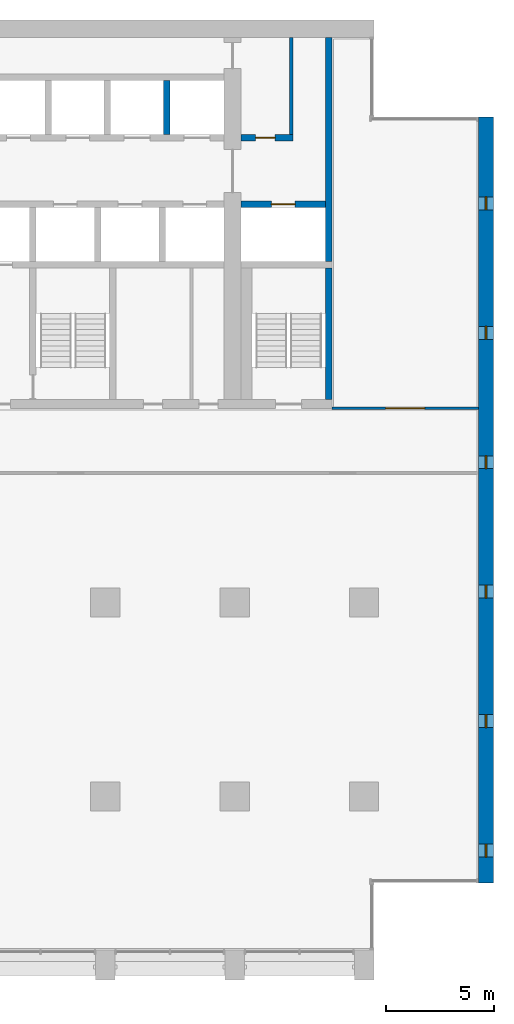
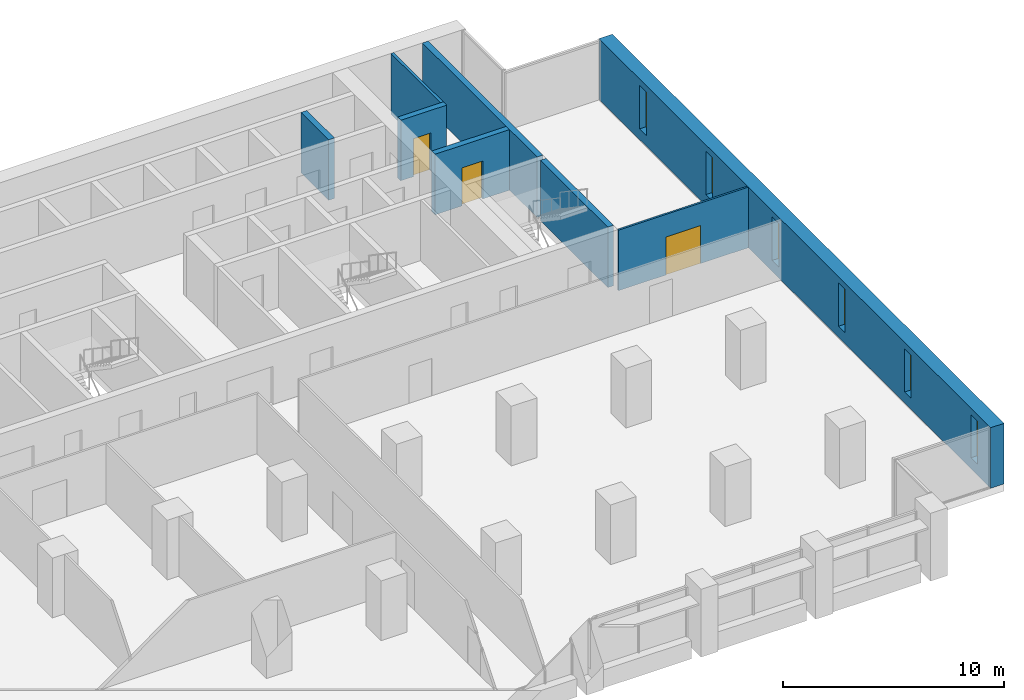
# One storey, part 11 of 15: 8 walls, 6 windows, 3 doors, 9 openings.
"""IFC4 building model written with IfcOpenShell, lengths in metres."""

from ifc_helpers import new_model, si_unit, direction, frame, frame_2d, origin, place, context, subcontext, project, spatial, rectangle, extrude, material, layer, layer_set, type_object, element, fill, save


model = new_model("IFC4")

# Units and contexts
model_context = context("Model", 3, precision=1e-05, world=origin(), true_north=direction((0.0, 1.0)))
body_context = subcontext(model_context, "Body", "Model", "MODEL_VIEW")
ifc_project = project(units=[si_unit("LENGTHUNIT", "METRE"), si_unit("AREAUNIT", "SQUARE_METRE"), si_unit("VOLUMEUNIT", "CUBIC_METRE"), si_unit("PLANEANGLEUNIT", "RADIAN"), si_unit("MASSUNIT", "GRAM", prefix="KILO")], contexts=[model_context])

# Site, building, storey
site_placement = place(None, origin())
site = spatial("IfcSite", under=ifc_project, at=site_placement, CompositionType="ELEMENT")
building_placement = place(site_placement, origin())
building = spatial("IfcBuilding", under=site, at=building_placement, Name="Calvaro Tower", CompositionType="ELEMENT")
storey_placement = place(building_placement, frame((0.0, 0.0, 121.25)))
storey = spatial("IfcBuildingStorey", under=building, at=storey_placement, Name="L30", CompositionType="ELEMENT", Elevation=121.25)

# Wall
ifc_material_1 = material(Name="Blockwork partition", Category="masonry")
ifc_layer_1 = layer(ifc_material_1, 0.14990234375)
ifc_layer_set_1 = layer_set([ifc_layer_1], Name="Blockwork partition")
wall_type_1 = type_object("IfcWallType", Name="Core partition 150 REI 120", PredefinedType="PARTITIONING", material=ifc_layer_set_1)
wall_1_placement = place(storey_placement, frame((62.625, 40.699951171875, 0.0), z_axis=(0.0, 0.0, 1.0), x_axis=(0.0, 1.0, 0.0)))
element("IfcWall", 1, at=wall_1_placement, inside=storey, type_object=wall_type_1, Name="Core partition", PredefinedType="PARTITIONING", context=body_context, shape_type="SweptSolid", body=[
    extrude(rectangle(XDim=4.5, YDim=0.14990234375, at=frame_2d((2.25, 0.0))), origin(), (0.0, 0.0, 1.0), 3.35009765625),
])

# Wall, opening, door
ifc_material_2 = material(Name="Blockwork partition", Category="masonry")
ifc_layer_2 = layer(ifc_material_2, 0.300048828125)
ifc_layer_set_2 = layer_set([ifc_layer_2], Name="Blockwork partition")
wall_type_2 = type_object("IfcWallType", Name="Core partition 300 REI 120", PredefinedType="PARTITIONING", material=ifc_layer_set_2)
wall_2_placement = place(storey_placement, frame((60.300048828125, 40.550048828125, 0.0), z_axis=(0.0, 0.0, 1.0), x_axis=(1.0, 0.0, 0.0)))
wall_2 = element("IfcWall", 2, at=wall_2_placement, inside=storey, type_object=wall_type_2, Name="Core partition", PredefinedType="PARTITIONING", context=body_context, shape_type="SweptSolid", body=[
    extrude(rectangle(XDim=2.39990234375, YDim=0.300048828125, at=frame_2d((1.199951171875, 0.0))), origin(), (0.0, 0.0, 1.0), 3.35009765625),
])
opening_1_placement = place(wall_2_placement, frame((0.675048828125, 0.0, 0.0)))
opening_1 = element("IfcOpeningElement", 3, at=opening_1_placement, cuts=wall_2, Name="Opening RD9E", PredefinedType="OPENING", context=body_context, shape_type="SweptSolid", body=[
    extrude(rectangle(XDim=0.89990234375, YDim=2.10009765625, at=frame_2d((0.449951171875, 1.050048828125))), frame((0.0, 0.159912109375, 0.0), z_axis=(0.0, -1.0, 0.0), x_axis=(1.0, 0.0, 0.0)), (0.0, 0.0, 1.0), 0.320068359375),
])
ifc_material_3 = material(Name="Steel door set", Category="steel")
door_type_1 = type_object("IfcDoorType", Name="Room door 900 FD60", OperationType="SINGLE_SWING_LEFT", PredefinedType="DOOR", material=ifc_material_3)
door_1_placement = place(opening_1_placement, origin())
door_1 = element("IfcDoor", 4, at=door_1_placement, inside=storey, type_object=door_type_1, Name="Room door", OperationType="SINGLE_SWING_LEFT", OverallHeight=2.10009765625, OverallWidth=0.89990234375, PredefinedType="DOOR", context=body_context, shape_type="SweptSolid", body=[
    extrude(rectangle(XDim=0.89990234375, YDim=2.10009765625, at=frame_2d((0.449951171875, 1.050048828125))), frame((0.0, 0.02490234375, 0.0), z_axis=(0.0, -1.0, 0.0), x_axis=(1.0, 0.0, 0.0)), (0.0, 0.0, 1.0), 0.050048828125),
])
fill(opening_1, door_1)

# Walls
ifc_material_4 = material(Name="Concrete C60/75", Category="concrete")
ifc_layer_3 = layer(ifc_material_4, 0.300048828125)
ifc_layer_set_3 = layer_set([ifc_layer_3], Name="Concrete C60/75")
wall_type_3 = type_object("IfcWallType", Name="Core wall C60/75 300", PredefinedType="SHEAR", material=ifc_layer_set_3)
wall_3_placement = place(storey_placement, frame((64.35009765625, 34.800048828125, 0.0), z_axis=(0.0, 0.0, 1.0), x_axis=(0.0, 1.0, 0.0)))
element("IfcWall", 5, at=wall_3_placement, inside=storey, type_object=wall_type_3, Name="Core wall, boundary", PredefinedType="SHEAR", context=body_context, shape_type="SweptSolid", body=[
    extrude(rectangle(XDim=10.39990234375, YDim=0.300048828125, at=frame_2d((5.199951171875, 0.0))), origin(), (0.0, 0.0, 1.0), 3.35009765625),
])
wall_4_placement = place(storey_placement, frame((64.35009765625, 28.39990234375, 0.0), z_axis=(0.0, 0.0, 1.0), x_axis=(0.0, 1.0, 0.0)))
element("IfcWall", 6, at=wall_4_placement, inside=storey, type_object=wall_type_3, Name="Core wall, stair enclosure", PredefinedType="SHEAR", context=body_context, shape_type="SweptSolid", body=[
    extrude(rectangle(XDim=6.10009765625, YDim=0.300048828125, at=frame_2d((3.050048828125, 0.0))), origin(), (0.0, 0.0, 1.0), 3.35009765625),
])

# Wall, opening, door
wall_5_placement = place(storey_placement, frame((60.300048828125, 37.449951171875, 0.0), z_axis=(0.0, 0.0, 1.0), x_axis=(1.0, 0.0, 0.0)))
wall_5 = element("IfcWall", 7, at=wall_5_placement, inside=storey, type_object=wall_type_3, Name="Core wall, lift shaft", PredefinedType="SHEAR", context=body_context, shape_type="SweptSolid", body=[
    extrude(rectangle(XDim=3.89990234375, YDim=0.300048828125, at=frame_2d((1.949951171875, 0.0))), origin(), (0.0, 0.0, 1.0), 3.35009765625),
])
opening_2_placement = place(wall_5_placement, frame((1.39990234375, 0.0, 0.0)))
opening_2 = element("IfcOpeningElement", 8, at=opening_2_placement, cuts=wall_5, Name="Opening FF3", PredefinedType="OPENING", context=body_context, shape_type="SweptSolid", body=[
    extrude(rectangle(XDim=1.10009765625, YDim=2.10009765625, at=frame_2d((0.550048828125, 1.050048828125))), frame((0.0, 0.159912109375, 0.0), z_axis=(0.0, -1.0, 0.0), x_axis=(1.0, 0.0, 0.0)), (0.0, 0.0, 1.0), 0.320068359375),
])
ifc_material_5 = material(Name="Stainless steel", Category="steel")
door_type_2 = type_object("IfcDoorType", Name="Landing door 1100 E 60", OperationType="SLIDING_TO_LEFT", PredefinedType="DOOR", material=ifc_material_5)
door_2_placement = place(opening_2_placement, origin())
door_2 = element("IfcDoor", 9, at=door_2_placement, inside=storey, type_object=door_type_2, Name="Landing door FF3", OperationType="SLIDING_TO_LEFT", OverallHeight=2.10009765625, OverallWidth=1.10009765625, PredefinedType="DOOR", context=body_context, shape_type="SweptSolid", body=[
    extrude(rectangle(XDim=1.10009765625, YDim=2.10009765625, at=frame_2d((0.550048828125, 1.050048828125))), frame((0.0, 0.02490234375, 0.0), z_axis=(0.0, -1.0, 0.0), x_axis=(1.0, 0.0, 0.0)), (0.0, 0.0, 1.0), 0.050048828125),
])
fill(opening_2, door_2)

# Wall
wall_6_placement = place(storey_placement, frame((56.85009765625, 40.699951171875, 0.0), z_axis=(0.0, 0.0, 1.0), x_axis=(0.0, 1.0, 0.0)))
element("IfcWall", 10, at=wall_6_placement, inside=storey, type_object=wall_type_3, Name="Core wall, lift shaft", PredefinedType="SHEAR", context=body_context, shape_type="SweptSolid", body=[
    extrude(rectangle(XDim=2.5, YDim=0.300048828125, at=frame_2d((1.25, 0.0))), origin(), (0.0, 0.0, 1.0), 3.35009765625),
])

# Wall, openings, windows
ifc_material_6 = material(Name="Concrete C60/75", Category="concrete")
ifc_layer_4 = layer(ifc_material_6, 0.699951171875)
ifc_layer_set_4 = layer_set([ifc_layer_4], Name="Concrete C60/75")
wall_type_4 = type_object("IfcWallType", Name="End wall 700 C60/75", PredefinedType="SHEAR", material=ifc_layer_set_4)
wall_7_placement = place(storey_placement, frame((71.64990234375, 6.0, 0.0), z_axis=(0.0, 0.0, 1.0), x_axis=(0.0, 1.0, 0.0)))
wall_7 = element("IfcWall", 11, at=wall_7_placement, inside=storey, type_object=wall_type_4, Name="End shear wall", PredefinedType="SHEAR", context=body_context, shape_type="SweptSolid", body=[
    extrude(rectangle(XDim=35.5, YDim=0.699951171875, at=frame_2d((17.75, 0.0))), origin(), (0.0, 0.0, 1.0), 3.35009765625),
])
opening_3_placement = place(wall_7_placement, frame((1.199951171875, 0.0, 0.60009765625)))
opening_3 = element("IfcOpeningElement", 12, at=opening_3_placement, cuts=wall_7, Name="Opening WE01", PredefinedType="OPENING", context=body_context, shape_type="SweptSolid", body=[
    extrude(rectangle(XDim=0.60009765625, YDim=2.39990234375, at=frame_2d((0.300048828125, 1.199951171875))), frame((0.0, 0.35986328125, 0.0), z_axis=(0.0, -1.0, 0.0), x_axis=(1.0, 0.0, 0.0)), (0.0, 0.0, 1.0), 0.719970703125),
])
opening_4_placement = place(wall_7_placement, frame((7.199951171875, 0.0, 0.60009765625)))
opening_4 = element("IfcOpeningElement", 13, at=opening_4_placement, cuts=wall_7, Name="Opening WE02", PredefinedType="OPENING", context=body_context, shape_type="SweptSolid", body=[
    extrude(rectangle(XDim=0.60009765625, YDim=2.39990234375, at=frame_2d((0.300048828125, 1.199951171875))), frame((0.0, 0.35986328125, 0.0), z_axis=(0.0, -1.0, 0.0), x_axis=(1.0, 0.0, 0.0)), (0.0, 0.0, 1.0), 0.719970703125),
])
opening_5_placement = place(wall_7_placement, frame((13.199951171875, 0.0, 0.60009765625)))
opening_5 = element("IfcOpeningElement", 14, at=opening_5_placement, cuts=wall_7, Name="Opening WE03", PredefinedType="OPENING", context=body_context, shape_type="SweptSolid", body=[
    extrude(rectangle(XDim=0.60009765625, YDim=2.39990234375, at=frame_2d((0.300048828125, 1.199951171875))), frame((0.0, 0.35986328125, 0.0), z_axis=(0.0, -1.0, 0.0), x_axis=(1.0, 0.0, 0.0)), (0.0, 0.0, 1.0), 0.719970703125),
])
opening_6_placement = place(wall_7_placement, frame((19.199951171875, 0.0, 0.60009765625)))
opening_6 = element("IfcOpeningElement", 15, at=opening_6_placement, cuts=wall_7, Name="Opening WE04", PredefinedType="OPENING", context=body_context, shape_type="SweptSolid", body=[
    extrude(rectangle(XDim=0.60009765625, YDim=2.39990234375, at=frame_2d((0.300048828125, 1.199951171875))), frame((0.0, 0.35986328125, 0.0), z_axis=(0.0, -1.0, 0.0), x_axis=(1.0, 0.0, 0.0)), (0.0, 0.0, 1.0), 0.719970703125),
])
opening_7_placement = place(wall_7_placement, frame((25.199951171875, 0.0, 0.60009765625)))
opening_7 = element("IfcOpeningElement", 16, at=opening_7_placement, cuts=wall_7, Name="Opening WE05", PredefinedType="OPENING", context=body_context, shape_type="SweptSolid", body=[
    extrude(rectangle(XDim=0.60009765625, YDim=2.39990234375, at=frame_2d((0.300048828125, 1.199951171875))), frame((0.0, 0.35986328125, 0.0), z_axis=(0.0, -1.0, 0.0), x_axis=(1.0, 0.0, 0.0)), (0.0, 0.0, 1.0), 0.719970703125),
])
opening_8_placement = place(wall_7_placement, frame((31.199951171875, 0.0, 0.60009765625)))
opening_8 = element("IfcOpeningElement", 17, at=opening_8_placement, cuts=wall_7, Name="Opening WE06", PredefinedType="OPENING", context=body_context, shape_type="SweptSolid", body=[
    extrude(rectangle(XDim=0.60009765625, YDim=2.39990234375, at=frame_2d((0.300048828125, 1.199951171875))), frame((0.0, 0.35986328125, 0.0), z_axis=(0.0, -1.0, 0.0), x_axis=(1.0, 0.0, 0.0)), (0.0, 0.0, 1.0), 0.719970703125),
])
ifc_material_7 = material(Name="Glass", Category="glass")
window_type = type_object("IfcWindowType", Name="Slit window 600 x 2400", PartitioningType="SINGLE_PANEL", PredefinedType="WINDOW", material=ifc_material_7)
window_1_placement = place(opening_3_placement, origin())
window_1 = element("IfcWindow", 18, at=window_1_placement, inside=storey, type_object=window_type, Name="Window WE01", OverallHeight=2.39990234375, OverallWidth=0.60009765625, PartitioningType="SINGLE_PANEL", PredefinedType="WINDOW", context=body_context, shape_type="SweptSolid", body=[
    extrude(rectangle(XDim=0.60009765625, YDim=2.39990234375, at=frame_2d((0.300048828125, 1.199951171875))), frame((0.0, 0.030029296875, 0.0), z_axis=(0.0, -1.0, 0.0), x_axis=(1.0, 0.0, 0.0)), (0.0, 0.0, 1.0), 0.06005859375),
])
fill(opening_3, window_1)
window_2_placement = place(opening_4_placement, origin())
window_2 = element("IfcWindow", 19, at=window_2_placement, inside=storey, type_object=window_type, Name="Window WE02", OverallHeight=2.39990234375, OverallWidth=0.60009765625, PartitioningType="SINGLE_PANEL", PredefinedType="WINDOW", context=body_context, shape_type="SweptSolid", body=[
    extrude(rectangle(XDim=0.60009765625, YDim=2.39990234375, at=frame_2d((0.300048828125, 1.199951171875))), frame((0.0, 0.030029296875, 0.0), z_axis=(0.0, -1.0, 0.0), x_axis=(1.0, 0.0, 0.0)), (0.0, 0.0, 1.0), 0.06005859375),
])
fill(opening_4, window_2)
window_3_placement = place(opening_5_placement, origin())
window_3 = element("IfcWindow", 20, at=window_3_placement, inside=storey, type_object=window_type, Name="Window WE03", OverallHeight=2.39990234375, OverallWidth=0.60009765625, PartitioningType="SINGLE_PANEL", PredefinedType="WINDOW", context=body_context, shape_type="SweptSolid", body=[
    extrude(rectangle(XDim=0.60009765625, YDim=2.39990234375, at=frame_2d((0.300048828125, 1.199951171875))), frame((0.0, 0.030029296875, 0.0), z_axis=(0.0, -1.0, 0.0), x_axis=(1.0, 0.0, 0.0)), (0.0, 0.0, 1.0), 0.06005859375),
])
fill(opening_5, window_3)
window_4_placement = place(opening_6_placement, origin())
window_4 = element("IfcWindow", 21, at=window_4_placement, inside=storey, type_object=window_type, Name="Window WE04", OverallHeight=2.39990234375, OverallWidth=0.60009765625, PartitioningType="SINGLE_PANEL", PredefinedType="WINDOW", context=body_context, shape_type="SweptSolid", body=[
    extrude(rectangle(XDim=0.60009765625, YDim=2.39990234375, at=frame_2d((0.300048828125, 1.199951171875))), frame((0.0, 0.030029296875, 0.0), z_axis=(0.0, -1.0, 0.0), x_axis=(1.0, 0.0, 0.0)), (0.0, 0.0, 1.0), 0.06005859375),
])
fill(opening_6, window_4)
window_5_placement = place(opening_7_placement, origin())
window_5 = element("IfcWindow", 22, at=window_5_placement, inside=storey, type_object=window_type, Name="Window WE05", OverallHeight=2.39990234375, OverallWidth=0.60009765625, PartitioningType="SINGLE_PANEL", PredefinedType="WINDOW", context=body_context, shape_type="SweptSolid", body=[
    extrude(rectangle(XDim=0.60009765625, YDim=2.39990234375, at=frame_2d((0.300048828125, 1.199951171875))), frame((0.0, 0.030029296875, 0.0), z_axis=(0.0, -1.0, 0.0), x_axis=(1.0, 0.0, 0.0)), (0.0, 0.0, 1.0), 0.06005859375),
])
fill(opening_7, window_5)
window_6_placement = place(opening_8_placement, origin())
window_6 = element("IfcWindow", 23, at=window_6_placement, inside=storey, type_object=window_type, Name="Window WE06", OverallHeight=2.39990234375, OverallWidth=0.60009765625, PartitioningType="SINGLE_PANEL", PredefinedType="WINDOW", context=body_context, shape_type="SweptSolid", body=[
    extrude(rectangle(XDim=0.60009765625, YDim=2.39990234375, at=frame_2d((0.300048828125, 1.199951171875))), frame((0.0, 0.030029296875, 0.0), z_axis=(0.0, -1.0, 0.0), x_axis=(1.0, 0.0, 0.0)), (0.0, 0.0, 1.0), 0.06005859375),
])
fill(opening_8, window_6)

# Wall, opening, door
ifc_material_8 = material(Name="Plasterboard on steel studs", Category="steel")
ifc_layer_5 = layer(ifc_material_8, 0.10009765625)
ifc_layer_set_5 = layer_set([ifc_layer_5], Name="Plasterboard on steel studs")
wall_type_5 = type_object("IfcWallType", Name="Partition 100", PredefinedType="PARTITIONING", material=ifc_layer_set_5)
wall_8_placement = place(storey_placement, frame((64.5, 28.0, 0.0), z_axis=(0.0, 0.0, 1.0), x_axis=(1.0, 0.0, 0.0)))
wall_8 = element("IfcWall", 24, at=wall_8_placement, inside=storey, type_object=wall_type_5, Name="Partition T19.W008", PredefinedType="PARTITIONING", context=body_context, shape_type="SweptSolid", body=[
    extrude(rectangle(XDim=6.800048828125, YDim=0.10009765625, at=frame_2d((3.39990234375, 0.0))), origin(), (0.0, 0.0, 1.0), 3.35009765625),
])
opening_9_placement = place(wall_8_placement, frame((2.5, 0.0, 0.0)))
opening_9 = element("IfcOpeningElement", 25, at=opening_9_placement, cuts=wall_8, Name="Opening T19.013", PredefinedType="OPENING", context=body_context, shape_type="SweptSolid", body=[
    extrude(rectangle(XDim=1.800048828125, YDim=2.10009765625, at=frame_2d((0.89990234375, 1.050048828125))), frame((0.0, 0.06005859375, 0.0), z_axis=(0.0, -1.0, 0.0), x_axis=(1.0, 0.0, 0.0)), (0.0, 0.0, 1.0), 0.1201171875),
])
ifc_material_9 = material(Name="Timber", Category="wood")
door_type_3 = type_object("IfcDoorType", Name="Internal double door 1800 x 2100", OperationType="DOUBLE_DOOR_SINGLE_SWING", PredefinedType="DOOR", material=ifc_material_9)
door_3_placement = place(opening_9_placement, origin())
door_3 = element("IfcDoor", 26, at=door_3_placement, inside=storey, type_object=door_type_3, Name="Door T19.013", OperationType="DOUBLE_DOOR_SINGLE_SWING", OverallHeight=2.10009765625, OverallWidth=1.800048828125, PredefinedType="DOOR", context=body_context, shape_type="SweptSolid", body=[
    extrude(rectangle(XDim=1.800048828125, YDim=2.10009765625, at=frame_2d((0.89990234375, 1.050048828125))), frame((0.0, 0.02490234375, 0.0), z_axis=(0.0, -1.0, 0.0), x_axis=(1.0, 0.0, 0.0)), (0.0, 0.0, 1.0), 0.050048828125),
])
fill(opening_9, door_3)

save(model, "model.ifc")
